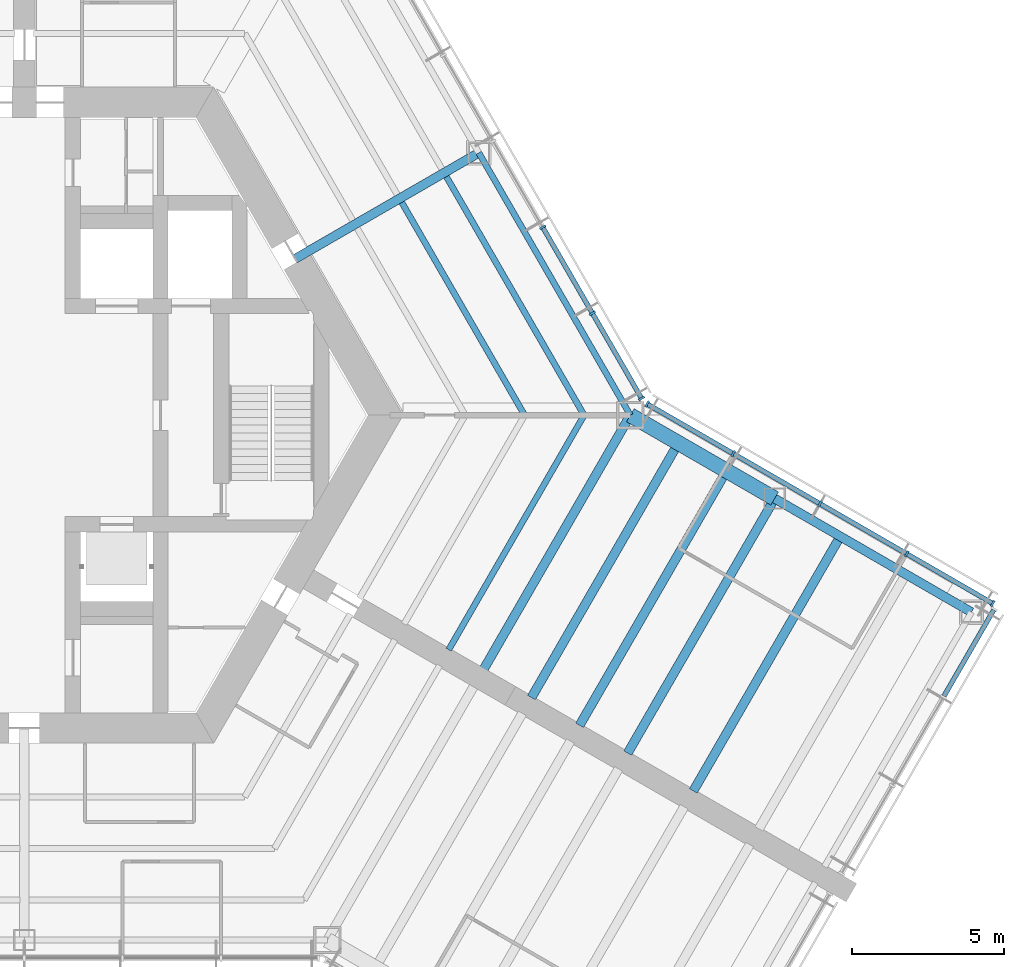
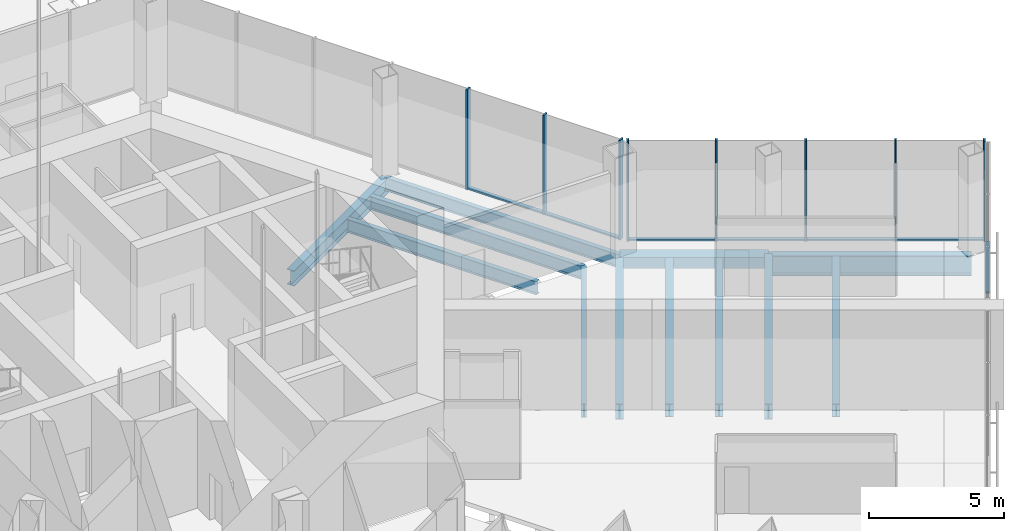
# One storey, part 5 of 18: 15 members, 12 beams, 3 elements without a shape of their own.
"""IFC4 building model written with IfcOpenShell, lengths in metres."""

import ifcopenshell
import ifcopenshell.guid

model = None  # the IFC model being written
_history = None  # IfcOwnerHistory: only IFC2X3 demands one
_inside = {}  # id of a spatial element -> (the spatial element, [elements in it])
_under = {}  # id of a project, library or spatial element -> (it, [spatial elements below it])
_declared = {}  # id of a project -> (the project, [libraries it declares])
_typed = {}  # id of a type object -> (the type object, [elements of that type])
_made_of = {}  # id of a material, layer set ... -> (it, [elements and type objects made of it])


def new_model(schema):
    """Start an empty IFC model of exactly this schema.

    Asked for "IFC4X3", IfcOpenShell would pick the latest addendum, in which some entities
    have other attributes; the version numbers below select the first issue.
    IFC2X3 requires an IfcOwnerHistory on every rooted entity: one is made here for all.
    """
    global model, _history
    if schema == "IFC4X3":
        model = ifcopenshell.file(schema_version=(4, 3, 0, 0))
    else:
        model = ifcopenshell.file(schema=schema)
    _inside.clear()
    _under.clear()
    _declared.clear()
    _typed.clear()
    _made_of.clear()
    _history = None
    if model.schema == "IFC2X3":
        org = make("IfcOrganization", Name="unknown")
        user = make(
            "IfcPersonAndOrganization",
            ThePerson=make("IfcPerson", FamilyName="unknown"),
            TheOrganization=org,
        )
        app = make(
            "IfcApplication",
            ApplicationDeveloper=org,
            Version="unknown",
            ApplicationFullName="unknown",
            ApplicationIdentifier="unknown",
        )
        _history = make(
            "IfcOwnerHistory",
            OwningUser=user,
            OwningApplication=app,
            ChangeAction="ADDED",
            CreationDate=0,
        )
    return model


def make(cls, **values):
    """One entity of the class cls with the attributes given. An attribute that is None is left unset."""
    return model.create_entity(
        cls, **{name: value for name, value in values.items() if value is not None}
    )


def rooted(cls, **values):
    """An entity with a GlobalId (a new one), such as an element, a storey or a relation."""
    return make(cls, GlobalId=ifcopenshell.guid.new(), OwnerHistory=_history, **values)


def si_unit(unit_type, name, prefix=None):
    """IfcSIUnit, for example si_unit("LENGTHUNIT", "METRE", prefix="MILLI")."""
    return make("IfcSIUnit", UnitType=unit_type, Prefix=prefix, Name=name)


def assignment(units):
    """IfcUnitAssignment: the units of a project."""
    return None if units is None else make("IfcUnitAssignment", Units=units)


def point(xyz):
    """IfcCartesianPoint."""
    return None if xyz is None else make("IfcCartesianPoint", Coordinates=xyz)


def direction(xyz):
    """IfcDirection."""
    return None if xyz is None else make("IfcDirection", DirectionRatios=xyz)


def frame(location, z_axis=None, x_axis=None):
    """IfcAxis2Placement3D, a coordinate frame: its origin and axes. An axis left out is left unset."""
    return make(
        "IfcAxis2Placement3D",
        Location=point(location),
        Axis=direction(z_axis),
        RefDirection=direction(x_axis),
    )


def frame_2d(location, x_axis=None):
    """IfcAxis2Placement2D, a coordinate frame in the plane: its origin and x axis."""
    return make(
        "IfcAxis2Placement2D", Location=point(location), RefDirection=direction(x_axis)
    )


def origin():
    """The frame at (0, 0, 0) with its axes left unset."""
    return frame((0.0, 0.0, 0.0))


def origin_2d():
    """The frame at (0, 0) in the plane with its x axis left unset."""
    return frame_2d((0.0, 0.0))


def place(relative_to, where):
    """IfcLocalPlacement: puts the frame where relative to a parent placement (None: the world)."""
    return make(
        "IfcLocalPlacement", PlacementRelTo=relative_to, RelativePlacement=where
    )


def context(
    kind, dimensions, precision=None, world=None, true_north=None, identifier=None
):
    """IfcGeometricRepresentationContext, for example the 3D "Model" context."""
    return make(
        "IfcGeometricRepresentationContext",
        ContextIdentifier=identifier,
        ContextType=kind,
        CoordinateSpaceDimension=dimensions,
        Precision=precision,
        WorldCoordinateSystem=world,
        TrueNorth=true_north,
    )


def subcontext(parent, identifier, kind, view, scale=None):
    """IfcGeometricRepresentationSubContext, for example "Body" below "Model"."""
    return make(
        "IfcGeometricRepresentationSubContext",
        ContextIdentifier=identifier,
        ContextType=kind,
        ParentContext=parent,
        TargetScale=scale,
        TargetView=view,
    )


def project(units=None, contexts=None):
    """IfcProject with its units and contexts."""
    return rooted(
        "IfcProject",
        Name="project",
        RepresentationContexts=contexts,
        UnitsInContext=assignment(units),
    )


def spatial(cls, under=None, at=None, **own):
    """A site, building, storey or space (cls), placed at a placement, below another one or the project."""
    s = rooted(cls, ObjectPlacement=at, **own)
    if under is not None:
        _under.setdefault(under.id(), (under, []))[1].append(s)
    return s


def profile(cls, at=None, kind="AREA", **sizes):
    """A parametric profile (cls). Its sizes go by their IFC names, for example OverallWidth=200.0."""
    return make(cls, ProfileType=kind, Position=at, **sizes)


def rectangle(**sizes):
    """IfcRectangleProfileDef."""
    return profile("IfcRectangleProfileDef", **sizes)


def hollow_rectangle(**sizes):
    """IfcRectangleHollowProfileDef."""
    return profile("IfcRectangleHollowProfileDef", **sizes)


def i_section(**sizes):
    """IfcIShapeProfileDef."""
    return profile("IfcIShapeProfileDef", **sizes)


def extrude(swept, where, along, depth):
    """IfcExtrudedAreaSolid: the profile swept, set in the frame where, extruded along a direction by depth."""
    return make(
        "IfcExtrudedAreaSolid",
        SweptArea=swept,
        Position=where,
        ExtrudedDirection=direction(along),
        Depth=depth,
    )


def shape(context_of_items, identifier, shape_type, items):
    """IfcShapeRepresentation: the items that make up one representation, for example the "Body"."""
    return make(
        "IfcShapeRepresentation",
        ContextOfItems=context_of_items,
        RepresentationIdentifier=identifier,
        RepresentationType=shape_type,
        Items=items,
    )


def material(Name=None, Category=None):
    """IfcMaterial."""
    return make("IfcMaterial", Name=Name, Category=Category)


def material_profile(
    of_material, cross_section, Name=None, Category=None, Priority=None
):
    """IfcMaterialProfile: a cross section and its material."""
    return make(
        "IfcMaterialProfile",
        Name=Name,
        Material=of_material,
        Profile=cross_section,
        Priority=Priority,
        Category=Category,
    )


def profile_set(profiles, Name=None, composite=None):
    """IfcMaterialProfileSet."""
    return make(
        "IfcMaterialProfileSet",
        Name=Name,
        MaterialProfiles=profiles,
        CompositeProfile=composite,
    )


def made_of(thing, what):
    """Note that an element or type object is made of a material, layer set ...; save() writes the relation."""
    if what is not None:
        _made_of.setdefault(what.id(), (what, []))[1].append(thing)
    return thing


def type_object(cls, material=None, **own):
    """A type object (cls), such as IfcWallType, which elements share."""
    return made_of(rooted(cls, **own), material)


def element(
    cls,
    number,
    at=None,
    inside=None,
    cuts=None,
    type_object=None,
    material=None,
    context=None,
    identifier="Body",
    shape_type=None,
    held_by="IfcProductDefinitionShape",
    body=None,
    shapes=None,
    **own,
):
    """One element of the class cls, such as IfcWall. Its Tag is "e" and its number.

    at: its placement. inside: the storey or other place that contains it. cuts: it is an
    opening in that element (IfcRelVoidsElement). A single representation is given by context,
    identifier, shape_type and body (its items); several are given by shapes. held_by: the class
    of the entity that holds the representations. save() writes the other relations.
    """
    e = rooted(cls, Tag="e%d" % number, ObjectPlacement=at, **own)
    if body is not None:
        shapes = [shape(context, identifier, shape_type, body)]
    if shapes is not None:
        e.Representation = make(held_by, Representations=shapes)
    if inside is not None:
        _inside.setdefault(inside.id(), (inside, []))[1].append(e)
    if cuts is not None:
        rooted(
            "IfcRelVoidsElement", RelatingBuildingElement=cuts, RelatedOpeningElement=e
        )
    if type_object is not None:
        _typed.setdefault(type_object.id(), (type_object, []))[1].append(e)
    return made_of(e, material)


def aggregate(whole, parts):
    """IfcRelAggregates: a whole, such as a stair, and the parts it consists of."""
    return rooted("IfcRelAggregates", RelatingObject=whole, RelatedObjects=parts)


def save(model, path):
    """Write the relations noted so far, then the file.

    IfcRelAggregates (storeys below a building ...), IfcRelContainedInSpatialStructure (elements
    in a storey), IfcRelDefinesByType, IfcRelAssociatesMaterial and IfcRelDeclares: one each for
    every whole, place, type object, material and project.
    """
    for whole, parts in _under.values():
        aggregate(whole, parts)
    for where, things in _inside.values():
        rooted(
            "IfcRelContainedInSpatialStructure",
            RelatedElements=things,
            RelatingStructure=where,
        )
    for kind, things in _typed.values():
        rooted("IfcRelDefinesByType", RelatedObjects=things, RelatingType=kind)
    for what, things in _made_of.values():
        rooted("IfcRelAssociatesMaterial", RelatedObjects=things, RelatingMaterial=what)
    for by, libraries in _declared.values():
        rooted("IfcRelDeclares", RelatingContext=by, RelatedDefinitions=libraries)
    model.write(path)


model = new_model("IFC4")

# Units and contexts
model_context = context("Model", 3, precision=1e-05, world=origin(), true_north=direction((0.0, 1.0)))
body_context = subcontext(model_context, "Body", "Model", "MODEL_VIEW")
ifc_project = project(units=[si_unit("LENGTHUNIT", "METRE"), si_unit("AREAUNIT", "SQUARE_METRE"), si_unit("VOLUMEUNIT", "CUBIC_METRE"), si_unit("PLANEANGLEUNIT", "RADIAN"), si_unit("MASSUNIT", "GRAM", prefix="KILO")], contexts=[model_context])

# Site, building, storey
site_placement = place(None, origin())
site = spatial("IfcSite", under=ifc_project, at=site_placement, CompositionType="ELEMENT")
building_placement = place(site_placement, origin())
building = spatial("IfcBuilding", under=site, at=building_placement, Name="Kasaneha Research Tower", CompositionType="ELEMENT")
storey_placement = place(building_placement, frame((0.0, 0.0, 128.60009765625)))
storey = spatial("IfcBuildingStorey", under=building, at=storey_placement, Name="L32", CompositionType="ELEMENT", Elevation=128.60009765625)

# Beams
ifc_material_1 = material(Name="Steel SN490B", Category="steel")
ifc_material_profile_1 = material_profile(ifc_material_1, i_section(OverallWidth=0.199951171875, OverallDepth=0.60009765625, WebThickness=0.010986328125, FlangeThickness=0.01708984375, FilletRadius=0.012939453125, at=origin_2d()), Name="H-600x200x11x17")
ifc_profile_set_1 = profile_set([ifc_material_profile_1], Name="Steel SN490B")
beam_type_1 = type_object("IfcBeamType", Name="B1-4 secondary beam H-600x200x11x17", PredefinedType="JOIST", material=ifc_profile_set_1)
beam_1_placement = place(storey_placement, frame((16.51220703125, 0.0, -0.5), z_axis=(-0.49999707157, 0.866027094508, 0.0), x_axis=(-0.866027094508, -0.49999707157, 0.0)))
element("IfcBeam", 1, at=beam_1_placement, inside=storey, type_object=beam_type_1, Name="Secondary beam RS030L2 L32", PredefinedType="JOIST", context=body_context, shape_type="SweptSolid", body=[
    extrude(i_section(OverallWidth=0.199951171875, OverallDepth=0.60009765625, WebThickness=0.010986328125, FlangeThickness=0.01708984375, FilletRadius=0.012939453125, at=origin_2d()), origin(), (0.0, 0.0, 1.0), 8.10595703125),
])
beam_2_placement = place(storey_placement, frame((18.47509765625, 0.0, -0.5), z_axis=(-0.499990665392, 0.866030793056, 0.0), x_axis=(-0.866030793056, -0.499990665392, 0.0)))
element("IfcBeam", 2, at=beam_2_placement, inside=storey, type_object=beam_type_1, Name="Secondary beam RS030L3 L32", PredefinedType="JOIST", context=body_context, shape_type="SweptSolid", body=[
    extrude(i_section(OverallWidth=0.199951171875, OverallDepth=0.60009765625, WebThickness=0.010986328125, FlangeThickness=0.01708984375, FilletRadius=0.012939453125, at=origin_2d()), origin(), (0.0, 0.0, 1.0), 9.087646484375),
])
beam_3_placement = place(storey_placement, frame((18.47509765625, 0.0, -0.5), z_axis=(-0.49999358888, -0.866029105215, 0.0), x_axis=(0.866029105215, -0.49999358888, 0.0)))
element("IfcBeam", 3, at=beam_3_placement, inside=storey, type_object=beam_type_1, Name="Secondary beam RS330R3 L32", PredefinedType="JOIST", context=body_context, shape_type="SweptSolid", body=[
    extrude(i_section(OverallWidth=0.199951171875, OverallDepth=0.60009765625, WebThickness=0.010986328125, FlangeThickness=0.01708984375, FilletRadius=0.012939453125, at=origin_2d()), origin(), (0.0, 0.0, 1.0), 8.9375),
])
ifc_material_2 = material(Name="Steel SN490B", Category="steel")
ifc_material_profile_2 = material_profile(ifc_material_2, i_section(OverallWidth=0.300048828125, OverallDepth=0.58203125, WebThickness=0.011962890625, FlangeThickness=0.01708984375, FilletRadius=0.012939453125, at=origin_2d()), Name="H-582x300x12x17")
ifc_profile_set_2 = profile_set([ifc_material_profile_2], Name="Steel SN490B")
beam_type_2 = type_object("IfcBeamType", Name="B2-4 secondary beam H-582x300x12x17", PredefinedType="JOIST", material=ifc_profile_set_2)
beam_4_placement = place(storey_placement, frame((21.587646484375, -0.916748046875, -0.4912109375), z_axis=(-0.499991164321, -0.866030505006, 0.0), x_axis=(0.866030505006, -0.499991164321, 0.0)))
element("IfcBeam", 4, at=beam_4_placement, inside=storey, type_object=beam_type_2, Name="Secondary beam WBCN1 L32", PredefinedType="JOIST", context=body_context, shape_type="SweptSolid", body=[
    extrude(i_section(OverallWidth=0.300048828125, OverallDepth=0.58203125, WebThickness=0.011962890625, FlangeThickness=0.01708984375, FilletRadius=0.012939453125, at=origin_2d()), origin(), (0.0, 0.0, 1.0), 9.699951171875),
])
beam_5_placement = place(storey_placement, frame((23.175537109375, -1.833251953125, -0.4912109375), z_axis=(-0.499999142773, -0.866025898704, 0.0), x_axis=(0.866025898704, -0.499999142773, 0.0)))
element("IfcBeam", 5, at=beam_5_placement, inside=storey, type_object=beam_type_2, Name="Secondary beam WBCN2 L32", PredefinedType="JOIST", context=body_context, shape_type="SweptSolid", body=[
    extrude(i_section(OverallWidth=0.300048828125, OverallDepth=0.58203125, WebThickness=0.011962890625, FlangeThickness=0.01708984375, FilletRadius=0.012939453125, at=origin_2d()), origin(), (0.0, 0.0, 1.0), 9.7001953125),
])
beam_6_placement = place(storey_placement, frame((26.92822265625, -4.0, -0.4912109375), z_axis=(-0.500010041276, -0.866019606374, 0.0), x_axis=(0.866019606374, -0.500010041276, 0.0)))
element("IfcBeam", 6, at=beam_6_placement, inside=storey, type_object=beam_type_2, Name="Secondary beam WBCN3 L32", PredefinedType="JOIST", context=body_context, shape_type="SweptSolid", body=[
    extrude(i_section(OverallWidth=0.300048828125, OverallDepth=0.58203125, WebThickness=0.011962890625, FlangeThickness=0.01708984375, FilletRadius=0.012939453125, at=origin_2d()), origin(), (0.0, 0.0, 1.0), 9.699951171875),
])
ifc_material_3 = material(Name="Steel SN490B", Category="steel")
ifc_material_profile_3 = material_profile(ifc_material_3, hollow_rectangle(XDim=0.5, YDim=0.5, WallThickness=0.02197265625, at=origin_2d()), Name="BOX-500x500x22")
ifc_profile_set_3 = profile_set([ifc_material_profile_3], Name="Steel SN490B")
beam_type_3 = type_object("IfcBeamType", Name="BC1-4 belt chord BOX-500x500x22", PredefinedType="BEAM", material=ifc_profile_set_3)
beam_7_placement = place(storey_placement, frame((20.0, 0.0, -0.4501953125), z_axis=(0.866027397988, -0.499996545922, 0.0), x_axis=(0.499996545922, 0.866027397988, 0.0)))
element("IfcBeam", 7, at=beam_7_placement, inside=storey, type_object=beam_type_3, Name="Belt chord WSCN1 L32", PredefinedType="BEAM", context=body_context, shape_type="SweptSolid", body=[
    extrude(hollow_rectangle(XDim=0.5, YDim=0.5, WallThickness=0.02197265625, at=origin_2d()), origin(), (0.0, 0.0, 1.0), 5.5),
])

# Curtain wall, members
ifc_material_4 = material(Name="Glass and aluminium", Category="aluminium")
curtain_wall_type = type_object("IfcCurtainWallType", Name="Sky lobby curtain wall", PredefinedType="USERDEFINED", material=ifc_material_4)
curtain_wall_1_placement = place(storey_placement, origin())
curtain_wall_1 = element("IfcCurtainWall", 8, at=curtain_wall_1_placement, inside=storey, type_object=curtain_wall_type, Name="CW-S L32 run 05a", ObjectType="UNITISED CURTAIN WALL", PredefinedType="USERDEFINED")
ifc_material_5 = material(Name="Aluminium 6063-T6", Category="aluminium")
ifc_material_profile_4 = material_profile(ifc_material_5, rectangle(XDim=0.070068359375, YDim=0.219970703125, at=origin_2d()), Name="CW-S mullion 70x220")
ifc_profile_set_4 = profile_set([ifc_material_profile_4], Name="Aluminium 6063-T6")
member_type_1 = type_object("IfcMemberType", Name="CW-S mullion", PredefinedType="MULLION", material=ifc_profile_set_4)
member_1_placement = place(storey_placement, frame((31.9609375, -6.212890625, 0.0), z_axis=(0.0, 0.0, 1.0), x_axis=(-0.866025411464, 0.499999986699, 0.0)))
member_1 = element("IfcMember", 9, at=member_1_placement, type_object=member_type_1, Name="CW-S mullion 1", PredefinedType="MULLION", context=body_context, shape_type="SweptSolid", body=[
    extrude(rectangle(XDim=0.070068359375, YDim=0.219970703125, at=origin_2d()), origin(), (0.0, 0.0, 1.0), 4.5),
])
member_2_placement = place(storey_placement, frame((29.125, -4.575439453125, 0.0), z_axis=(0.0, 0.0, 1.0), x_axis=(-0.866025411464, 0.499999986699, 0.0)))
member_2 = element("IfcMember", 10, at=member_2_placement, type_object=member_type_1, Name="CW-S mullion 2", PredefinedType="MULLION", context=body_context, shape_type="SweptSolid", body=[
    extrude(rectangle(XDim=0.070068359375, YDim=0.219970703125, at=origin_2d()), origin(), (0.0, 0.0, 1.0), 4.5),
])
member_3_placement = place(storey_placement, frame((26.258544921875, -2.920654296875, 0.0), z_axis=(0.0, 0.0, 1.0), x_axis=(-0.866025411464, 0.499999986699, 0.0)))
member_3 = element("IfcMember", 11, at=member_3_placement, type_object=member_type_1, Name="CW-S mullion 3", PredefinedType="MULLION", context=body_context, shape_type="SweptSolid", body=[
    extrude(rectangle(XDim=0.070068359375, YDim=0.219970703125, at=origin_2d()), origin(), (0.0, 0.0, 1.0), 4.5),
])
member_4_placement = place(storey_placement, frame((23.39208984375, -1.265625, 0.0), z_axis=(0.0, 0.0, 1.0), x_axis=(-0.866025411464, 0.499999986699, 0.0)))
member_4 = element("IfcMember", 12, at=member_4_placement, type_object=member_type_1, Name="CW-S mullion 4", PredefinedType="MULLION", context=body_context, shape_type="SweptSolid", body=[
    extrude(rectangle(XDim=0.070068359375, YDim=0.219970703125, at=origin_2d()), origin(), (0.0, 0.0, 1.0), 4.5),
])
member_5_placement = place(storey_placement, frame((20.55615234375, 0.371826171875, 0.0), z_axis=(0.0, 0.0, 1.0), x_axis=(-0.866025411464, 0.499999986699, 0.0)))
member_5 = element("IfcMember", 13, at=member_5_placement, type_object=member_type_1, Name="CW-S mullion 5", PredefinedType="MULLION", context=body_context, shape_type="SweptSolid", body=[
    extrude(rectangle(XDim=0.070068359375, YDim=0.219970703125, at=origin_2d()), origin(), (0.0, 0.0, 1.0), 4.5),
])

curtain_wall_2_placement = place(storey_placement, origin())
curtain_wall_2 = element("IfcCurtainWall", 14, at=curtain_wall_2_placement, inside=storey, type_object=curtain_wall_type, Name="CW-S L32 run 06a", ObjectType="UNITISED CURTAIN WALL", PredefinedType="USERDEFINED")
member_6_placement = place(storey_placement, frame((20.371826171875, 0.55615234375, 0.0), z_axis=(0.0, 0.0, 1.0), x_axis=(-0.499999979232, 0.866025415775, 0.0)))
member_6 = element("IfcMember", 15, at=member_6_placement, type_object=member_type_1, Name="CW-S mullion 1", PredefinedType="MULLION", context=body_context, shape_type="SweptSolid", body=[
    extrude(rectangle(XDim=0.070068359375, YDim=0.219970703125, at=origin_2d()), origin(), (0.0, 0.0, 1.0), 4.5),
])
member_7_placement = place(storey_placement, frame((18.750244140625, 3.36474609375, 0.0), z_axis=(0.0, 0.0, 1.0), x_axis=(-0.499999979232, 0.866025415775, 0.0)))
member_7 = element("IfcMember", 16, at=member_7_placement, type_object=member_type_1, Name="CW-S mullion 2", PredefinedType="MULLION", context=body_context, shape_type="SweptSolid", body=[
    extrude(rectangle(XDim=0.070068359375, YDim=0.219970703125, at=origin_2d()), origin(), (0.0, 0.0, 1.0), 4.5),
])
member_8_placement = place(storey_placement, frame((17.111328125, 6.203369140625, 0.0), z_axis=(0.0, 0.0, 1.0), x_axis=(-0.499999979232, 0.866025415775, 0.0)))
member_8 = element("IfcMember", 17, at=member_8_placement, type_object=member_type_1, Name="CW-S mullion 3", PredefinedType="MULLION", context=body_context, shape_type="SweptSolid", body=[
    extrude(rectangle(XDim=0.070068359375, YDim=0.219970703125, at=origin_2d()), origin(), (0.0, 0.0, 1.0), 4.5),
])

# Curtain wall, member
curtain_wall_3_placement = place(storey_placement, origin())
curtain_wall_3 = element("IfcCurtainWall", 18, at=curtain_wall_3_placement, inside=storey, type_object=curtain_wall_type, Name="CW-S L32 run 04a", ObjectType="UNITISED CURTAIN WALL", PredefinedType="USERDEFINED")
ifc_material_6 = material(Name="Aluminium 6063-T6", Category="aluminium")
ifc_material_profile_5 = material_profile(ifc_material_6, rectangle(XDim=0.159912109375, YDim=0.070068359375, at=origin_2d()), Name="CW-S transom 160x70")
ifc_profile_set_5 = profile_set([ifc_material_profile_5], Name="Aluminium 6063-T6")
member_type_2 = type_object("IfcMemberType", Name="CW-S transom", PredefinedType="USERDEFINED", material=ifc_profile_set_5)
member_9_placement = place(storey_placement, frame((30.353759765625, -9.266845703125, 0.034912109375), z_axis=(0.49996740399, 0.866044222282, 0.0), x_axis=(-0.866044222282, 0.49996740399, 0.0)))
member_9 = element("IfcMember", 19, at=member_9_placement, type_object=member_type_2, Name="CW-S transom 3", ObjectType="TRANSOM", PredefinedType="USERDEFINED", context=body_context, shape_type="SweptSolid", body=[
    extrude(rectangle(XDim=0.159912109375, YDim=0.070068359375, at=origin_2d()), origin(), (0.0, 0.0, 1.0), 3.278564453125),
])
aggregate(curtain_wall_3, [member_9])

# Member
member_10_placement = place(storey_placement, frame((31.9306640625, -6.1953125, 0.034912109375), z_axis=(-0.866035889079, 0.499981838497, 0.0), x_axis=(-0.499981838497, -0.866035889079, 0.0)))
member_10 = element("IfcMember", 20, at=member_10_placement, type_object=member_type_2, Name="CW-S transom 1", ObjectType="TRANSOM", PredefinedType="USERDEFINED", context=body_context, shape_type="SweptSolid", body=[
    extrude(rectangle(XDim=0.159912109375, YDim=0.070068359375, at=origin_2d()), origin(), (0.0, 0.0, 1.0), 3.20458984375),
])

member_11_placement = place(storey_placement, frame((29.0947265625, -4.557861328125, 0.034912109375), z_axis=(-0.866041282123, 0.499972496902, 0.0), x_axis=(-0.499972496902, -0.866041282123, 0.0)))
member_11 = element("IfcMember", 21, at=member_11_placement, type_object=member_type_2, Name="CW-S transom 2", ObjectType="TRANSOM", PredefinedType="USERDEFINED", context=body_context, shape_type="SweptSolid", body=[
    extrude(rectangle(XDim=0.159912109375, YDim=0.070068359375, at=origin_2d()), origin(), (0.0, 0.0, 1.0), 3.239990234375),
])

member_12_placement = place(storey_placement, frame((26.228271484375, -2.903076171875, 0.034912109375), z_axis=(-0.866022443901, 0.500005126634, 0.0), x_axis=(-0.500005126634, -0.866022443901, 0.0)))
member_12 = element("IfcMember", 22, at=member_12_placement, type_object=member_type_2, Name="CW-S transom 3", ObjectType="TRANSOM", PredefinedType="USERDEFINED", context=body_context, shape_type="SweptSolid", body=[
    extrude(rectangle(XDim=0.159912109375, YDim=0.070068359375, at=origin_2d()), origin(), (0.0, 0.0, 1.0), 3.23974609375),
])

member_13_placement = place(storey_placement, frame((23.36181640625, -1.248291015625, 0.034912109375), z_axis=(-0.866002901518, 0.500038973044, 0.0), x_axis=(-0.500038973044, -0.866002901518, 0.0)))
member_13 = element("IfcMember", 23, at=member_13_placement, type_object=member_type_2, Name="CW-S transom 4", ObjectType="TRANSOM", PredefinedType="USERDEFINED", context=body_context, shape_type="SweptSolid", body=[
    extrude(rectangle(XDim=0.159912109375, YDim=0.070068359375, at=origin_2d()), origin(), (0.0, 0.0, 1.0), 3.204833984375),
])

aggregate(curtain_wall_1, [member_1, member_2, member_3, member_4, member_5, member_10, member_11, member_12, member_13])

member_14_placement = place(storey_placement, frame((20.354248046875, 0.58642578125, 0.034912109375), z_axis=(-0.499995540215, 0.866027978627, 0.0), x_axis=(-0.866027978627, -0.499995540215, 0.0)))
member_14 = element("IfcMember", 24, at=member_14_placement, type_object=member_type_2, Name="CW-S transom 1", ObjectType="TRANSOM", PredefinedType="USERDEFINED", context=body_context, shape_type="SweptSolid", body=[
    extrude(rectangle(XDim=0.159912109375, YDim=0.070068359375, at=origin_2d()), origin(), (0.0, 0.0, 1.0), 3.1728515625),
])

member_15_placement = place(storey_placement, frame((18.732666015625, 3.39501953125, 0.034912109375), z_axis=(-0.500018909665, 0.866014486009, 0.0), x_axis=(-0.866014486009, -0.500018909665, 0.0)))
member_15 = element("IfcMember", 25, at=member_15_placement, type_object=member_type_2, Name="CW-S transom 2", ObjectType="TRANSOM", PredefinedType="USERDEFINED", context=body_context, shape_type="SweptSolid", body=[
    extrude(rectangle(XDim=0.159912109375, YDim=0.070068359375, at=origin_2d()), origin(), (0.0, 0.0, 1.0), 3.2080078125),
])

aggregate(curtain_wall_2, [member_6, member_7, member_8, member_14, member_15])

# Beams
ifc_material_7 = material(Name="Steel SN490B", Category="steel")
ifc_material_profile_6 = material_profile(ifc_material_7, i_section(OverallWidth=0.300048828125, OverallDepth=0.69189453125, WebThickness=0.012939453125, FlangeThickness=0.02001953125, FilletRadius=0.01806640625, at=origin_2d()), Name="H-692x300x13x20")
ifc_profile_set_6 = profile_set([ifc_material_profile_6], Name="Steel SN490B")
beam_type_4 = type_object("IfcBeamType", Name="G2-4 radial girder H-692x300x13x20", PredefinedType="BEAM", material=ifc_profile_set_6)
beam_8_placement = place(storey_placement, frame((8.941650390625, 5.16259765625, -0.546142578125), z_axis=(0.866039713508, 0.499975214012, 0.0), x_axis=(-0.499975214012, 0.866039713508, 0.0)))
element("IfcBeam", 26, at=beam_8_placement, inside=storey, type_object=beam_type_4, Name="Radial girder RM030 L32", PredefinedType="BEAM", context=body_context, shape_type="SweptSolid", body=[
    extrude(i_section(OverallWidth=0.300048828125, OverallDepth=0.69189453125, WebThickness=0.012939453125, FlangeThickness=0.02001953125, FilletRadius=0.01806640625, at=origin_2d()), origin(), (0.0, 0.0, 1.0), 6.995361328125),
])
ifc_material_8 = material(Name="Steel SN490B", Category="steel")
ifc_material_profile_7 = material_profile(ifc_material_8, i_section(OverallWidth=0.300048828125, OverallDepth=0.69189453125, WebThickness=0.012939453125, FlangeThickness=0.02001953125, FilletRadius=0.01806640625, at=origin_2d()), Name="H-692x300x13x20")
ifc_profile_set_7 = profile_set([ifc_material_profile_7], Name="Steel SN490B")
beam_type_5 = type_object("IfcBeamType", Name="G3-4 plate edge girder H-692x300x13x20", PredefinedType="BEAM", material=ifc_profile_set_7)
beam_9_placement = place(storey_placement, frame((20.0, 0.0, -0.546142578125), z_axis=(-0.500010041276, -0.866019606374, 0.0), x_axis=(0.866019606374, -0.500010041276, 0.0)))
element("IfcBeam", 27, at=beam_9_placement, inside=storey, type_object=beam_type_5, Name="Plate edge girder PECN L32", PredefinedType="BEAM", context=body_context, shape_type="SweptSolid", body=[
    extrude(i_section(OverallWidth=0.300048828125, OverallDepth=0.69189453125, WebThickness=0.012939453125, FlangeThickness=0.02001953125, FilletRadius=0.01806640625, at=origin_2d()), origin(), (0.0, 0.0, 1.0), 9.699951171875),
])
ifc_material_9 = material(Name="Steel SN490B", Category="steel")
ifc_material_profile_8 = material_profile(ifc_material_9, i_section(OverallWidth=0.300048828125, OverallDepth=0.699951171875, WebThickness=0.012939453125, FlangeThickness=0.02392578125, FilletRadius=0.01806640625, at=origin_2d()), Name="H-700x300x13x24")
ifc_profile_set_8 = profile_set([ifc_material_profile_8], Name="Steel SN490B")
beam_type_6 = type_object("IfcBeamType", Name="G4-4 wing girder H-700x300x13x24", PredefinedType="BEAM", material=ifc_profile_set_8)
beam_10_placement = place(storey_placement, frame((24.76318359375, -2.75, -0.550048828125), z_axis=(-0.500010041276, -0.866019606374, 0.0), x_axis=(0.866019606374, -0.500010041276, 0.0)))
element("IfcBeam", 28, at=beam_10_placement, inside=storey, type_object=beam_type_6, Name="Wing girder WGCN L32", PredefinedType="BEAM", context=body_context, shape_type="SweptSolid", body=[
    extrude(i_section(OverallWidth=0.300048828125, OverallDepth=0.699951171875, WebThickness=0.012939453125, FlangeThickness=0.02392578125, FilletRadius=0.01806640625, at=origin_2d()), origin(), (0.0, 0.0, 1.0), 9.699951171875),
])
ifc_material_10 = material(Name="Steel SN490B", Category="steel")
ifc_material_profile_9 = material_profile(ifc_material_10, i_section(OverallWidth=0.198974609375, OverallDepth=0.595947265625, WebThickness=0.010009765625, FlangeThickness=0.014892578125, FilletRadius=0.012939453125, at=origin_2d()), Name="H-596x199x10x15")
ifc_profile_set_9 = profile_set([ifc_material_profile_9], Name="Steel SN490B")
beam_type_7 = type_object("IfcBeamType", Name="SB1-4 spandrel beam H-596x199x10x15", PredefinedType="SPANDREL", material=ifc_profile_set_9)
beam_11_placement = place(storey_placement, frame((20.0, 0.0, -0.498046875), z_axis=(-0.500004234368, 0.866022959057, 0.0), x_axis=(-0.866022959057, -0.500004234368, 0.0)))
element("IfcBeam", 29, at=beam_11_placement, inside=storey, type_object=beam_type_7, Name="Spandrel beam SR030L L32", PredefinedType="SPANDREL", context=body_context, shape_type="SweptSolid", body=[
    extrude(i_section(OverallWidth=0.198974609375, OverallDepth=0.595947265625, WebThickness=0.010009765625, FlangeThickness=0.014892578125, FilletRadius=0.012939453125, at=origin_2d()), origin(), (0.0, 0.0, 1.0), 10.0),
])
ifc_material_11 = material(Name="Steel SN490B", Category="steel")
ifc_material_profile_10 = material_profile(ifc_material_11, i_section(OverallWidth=0.300048828125, OverallDepth=0.89990234375, WebThickness=0.01611328125, FlangeThickness=0.028076171875, FilletRadius=0.01806640625, at=origin_2d()), Name="H-900x300x16x28")
ifc_profile_set_10 = profile_set([ifc_material_profile_10], Name="Steel SN490B")
beam_type_8 = type_object("IfcBeamType", Name="SB2-4 spandrel beam H-900x300x16x28", PredefinedType="SPANDREL", material=ifc_profile_set_10)
beam_12_placement = place(storey_placement, frame((24.76318359375, -2.75, -0.650146484375), z_axis=(0.866022959057, -0.500004234368, 0.0), x_axis=(0.500004234368, 0.866022959057, 0.0)))
element("IfcBeam", 30, at=beam_12_placement, inside=storey, type_object=beam_type_8, Name="Spandrel beam WSCN2 L32", PredefinedType="SPANDREL", context=body_context, shape_type="SweptSolid", body=[
    extrude(i_section(OverallWidth=0.300048828125, OverallDepth=0.89990234375, WebThickness=0.01611328125, FlangeThickness=0.028076171875, FilletRadius=0.01806640625, at=origin_2d()), origin(), (0.0, 0.0, 1.0), 7.5),
])

save(model, "model.ifc")
